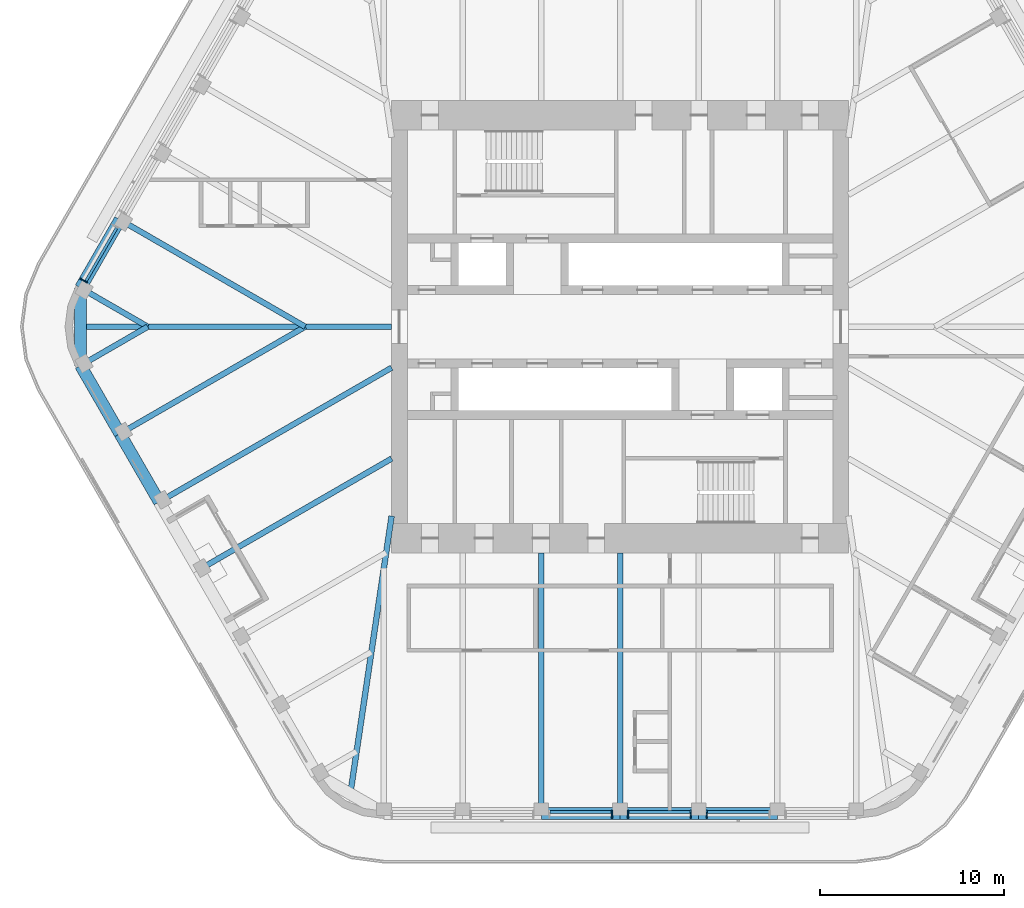
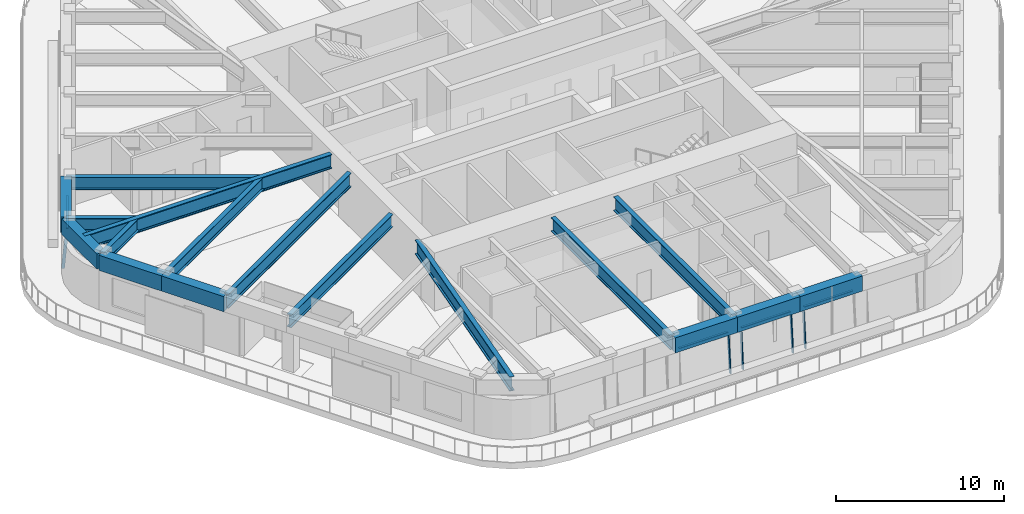
# One storey, part 3 of 20: 17 beams, 9 members, 4 elements without a shape of their own.
"""IFC4 building model written with IfcOpenShell, lengths in metres."""

from ifc_helpers import new_model, si_unit, direction, frame, origin, origin_2d, place, context, subcontext, project, spatial, rectangle, i_section, extrude, material, material_profile, profile_set, type_object, element, aggregate, save


model = new_model("IFC4")

# Units and contexts
model_context = context("Model", 3, precision=1e-05, world=origin(), true_north=direction((0.0, 1.0)))
body_context = subcontext(model_context, "Body", "Model", "MODEL_VIEW")
ifc_project = project(units=[si_unit("LENGTHUNIT", "METRE"), si_unit("AREAUNIT", "SQUARE_METRE"), si_unit("VOLUMEUNIT", "CUBIC_METRE"), si_unit("PLANEANGLEUNIT", "RADIAN"), si_unit("MASSUNIT", "GRAM", prefix="KILO")], contexts=[model_context])

# Site, building, storey
site_placement = place(None, origin())
site = spatial("IfcSite", under=ifc_project, at=site_placement, CompositionType="ELEMENT")
building_placement = place(site_placement, origin())
building = spatial("IfcBuilding", under=site, at=building_placement, Name="Tarfa Lantern Tower", CompositionType="ELEMENT")
storey_placement = place(building_placement, frame((0.0, 0.0, 378.699951171875)))
storey = spatial("IfcBuildingStorey", under=building, at=storey_placement, Name="L86", CompositionType="ELEMENT", Elevation=378.699951171875)

# Curtain wall, member
ifc_material_1 = material(Name="Aluminium framed curtain wall", Category="aluminium")
curtain_wall_type = type_object("IfcCurtainWallType", Name="CW4 CANTED GLAZING EXECUTIVE ZONE 2900", PredefinedType="USERDEFINED", material=ifc_material_1)
curtain_wall_1_placement = place(storey_placement, origin())
curtain_wall_1 = element("IfcCurtainWall", 1, at=curtain_wall_1_placement, inside=storey, type_object=curtain_wall_type, Name="CW4 NW L86", ObjectType="CURTAIN WALL", PredefinedType="USERDEFINED")
ifc_material_2 = material(Name="Aluminium mullion", Category="aluminium")
ifc_material_profile_1 = material_profile(ifc_material_2, rectangle(XDim=0.06494140625, YDim=0.199951171875, at=origin_2d()), Name="AL MULLION 65x200")
ifc_profile_set_1 = profile_set([ifc_material_profile_1], Name="Aluminium mullion")
member_type_1 = type_object("IfcMemberType", Name="CWM1 MULLION 65x200", PredefinedType="MULLION", material=ifc_profile_set_1)
member_1_placement = place(storey_placement, frame((-29.286376953125, 2.574462890625, 0.0), z_axis=(0.074393603155, -0.042941967097, 0.996303959277), x_axis=(0.499919672301, 0.866071776036, 0.0)))
member_1 = element("IfcMember", 2, at=member_1_placement, type_object=member_type_1, Name="CW4 mullion 2", PredefinedType="MULLION", context=body_context, shape_type="SweptSolid", body=[
    extrude(rectangle(XDim=0.06494140625, YDim=0.199951171875, at=origin_2d()), origin(), (0.0, 0.0, 1.0), 2.910888671875),
])

curtain_wall_2_placement = place(storey_placement, origin())
curtain_wall_2 = element("IfcCurtainWall", 3, at=curtain_wall_2_placement, inside=storey, type_object=curtain_wall_type, Name="CW4 S L86", ObjectType="CURTAIN WALL", PredefinedType="USERDEFINED")
member_2_placement = place(storey_placement, frame((-0.4326171875, -26.64990234375, 0.0), z_axis=(0.0, 0.085884035992, 0.996305140186), x_axis=(-1.0, 0.0, 0.0)))
member_2 = element("IfcMember", 4, at=member_2_placement, type_object=member_type_1, Name="CW4 mullion 2", PredefinedType="MULLION", context=body_context, shape_type="SweptSolid", body=[
    extrude(rectangle(XDim=0.06494140625, YDim=0.199951171875, at=origin_2d()), origin(), (0.0, 0.0, 1.0), 2.910888671875),
])

# Curtain wall, members
curtain_wall_3_placement = place(storey_placement, origin())
curtain_wall_3 = element("IfcCurtainWall", 5, at=curtain_wall_3_placement, inside=storey, type_object=curtain_wall_type, Name="CW4 S L86", ObjectType="CURTAIN WALL", PredefinedType="USERDEFINED")
member_3_placement = place(storey_placement, frame((0.4326171875, -26.64990234375, 0.0), z_axis=(0.0, 0.085884035992, 0.996305140186), x_axis=(-1.0, 0.0, 0.0)))
member_3 = element("IfcMember", 6, at=member_3_placement, type_object=member_type_1, Name="CW4 mullion 1", PredefinedType="MULLION", context=body_context, shape_type="SweptSolid", body=[
    extrude(rectangle(XDim=0.06494140625, YDim=0.199951171875, at=origin_2d()), origin(), (0.0, 0.0, 1.0), 2.910888671875),
])
member_4_placement = place(storey_placement, frame((3.849609375, -26.64990234375, 0.0), z_axis=(0.0, 0.085884035992, 0.996305140186), x_axis=(-1.0, 0.0, 0.0)))
member_4 = element("IfcMember", 7, at=member_4_placement, type_object=member_type_1, Name="CW4 mullion 2", PredefinedType="MULLION", context=body_context, shape_type="SweptSolid", body=[
    extrude(rectangle(XDim=0.06494140625, YDim=0.199951171875, at=origin_2d()), origin(), (0.0, 0.0, 1.0), 2.910888671875),
])

# Curtain wall, member
curtain_wall_4_placement = place(storey_placement, origin())
curtain_wall_4 = element("IfcCurtainWall", 8, at=curtain_wall_4_placement, inside=storey, type_object=curtain_wall_type, Name="CW4 S L86", ObjectType="CURTAIN WALL", PredefinedType="USERDEFINED")
member_5_placement = place(storey_placement, frame((4.714599609375, -26.64990234375, 0.0), z_axis=(0.0, 0.085884035992, 0.996305140186), x_axis=(-1.0, 0.0, 0.0)))
member_5 = element("IfcMember", 9, at=member_5_placement, type_object=member_type_1, Name="CW4 mullion 1", PredefinedType="MULLION", context=body_context, shape_type="SweptSolid", body=[
    extrude(rectangle(XDim=0.06494140625, YDim=0.199951171875, at=origin_2d()), origin(), (0.0, 0.0, 1.0), 2.910888671875),
])

# Member
ifc_material_3 = material(Name="Aluminium transom", Category="aluminium")
ifc_material_profile_2 = material_profile(ifc_material_3, rectangle(XDim=0.14990234375, YDim=0.06494140625, at=origin_2d()), Name="AL TRANSOM 150x65")
ifc_profile_set_2 = profile_set([ifc_material_profile_2], Name="Aluminium transom")
member_type_2 = type_object("IfcMemberType", Name="CWT1 TRANSOM 150x65", PredefinedType="USERDEFINED", material=ifc_profile_set_2)
member_6_placement = place(storey_placement, frame((-27.380126953125, 5.382080078125, 2.867431640625), z_axis=(-0.499930512259, -0.866065518833, 0.0), x_axis=(0.866065518833, -0.499930512259, 0.0)))
member_6 = element("IfcMember", 10, at=member_6_placement, type_object=member_type_2, Name="CW4 transom 1.2", ObjectType="TRANSOM", PredefinedType="USERDEFINED", context=body_context, shape_type="SweptSolid", body=[
    extrude(rectangle(XDim=0.14990234375, YDim=0.06494140625, at=origin_2d()), origin(), (0.0, 0.0, 1.0), 3.35205078125),
])

aggregate(curtain_wall_1, [member_1, member_6])

member_7_placement = place(storey_placement, frame((-3.81689453125, -26.40283203125, 2.867431640625), z_axis=(1.0, 0.0, 0.0), x_axis=(0.0, 1.0, 0.0)))
member_7 = element("IfcMember", 11, at=member_7_placement, type_object=member_type_2, Name="CW4 transom 1.2", ObjectType="TRANSOM", PredefinedType="USERDEFINED", context=body_context, shape_type="SweptSolid", body=[
    extrude(rectangle(XDim=0.14990234375, YDim=0.06494140625, at=origin_2d()), origin(), (0.0, 0.0, 1.0), 3.351806640625),
])

aggregate(curtain_wall_2, [member_2, member_7])

member_8_placement = place(storey_placement, frame((0.465087890625, -26.40283203125, 2.867431640625), z_axis=(1.0, 0.0, 0.0), x_axis=(0.0, 1.0, 0.0)))
member_8 = element("IfcMember", 12, at=member_8_placement, type_object=member_type_2, Name="CW4 transom 1.2", ObjectType="TRANSOM", PredefinedType="USERDEFINED", context=body_context, shape_type="SweptSolid", body=[
    extrude(rectangle(XDim=0.14990234375, YDim=0.06494140625, at=origin_2d()), origin(), (0.0, 0.0, 1.0), 3.351806640625),
])

aggregate(curtain_wall_3, [member_3, member_4, member_8])

member_9_placement = place(storey_placement, frame((4.7470703125, -26.40283203125, 2.867431640625), z_axis=(1.0, 0.0, 0.0), x_axis=(0.0, 1.0, 0.0)))
member_9 = element("IfcMember", 13, at=member_9_placement, type_object=member_type_2, Name="CW4 transom 1.2", ObjectType="TRANSOM", PredefinedType="USERDEFINED", context=body_context, shape_type="SweptSolid", body=[
    extrude(rectangle(XDim=0.14990234375, YDim=0.06494140625, at=origin_2d()), origin(), (0.0, 0.0, 1.0), 3.35205078125),
])

aggregate(curtain_wall_4, [member_5, member_9])

# Beams
ifc_material_4 = material(Name="Concrete C80/95", Category="concrete")
ifc_material_profile_3 = material_profile(ifc_material_4, rectangle(XDim=0.64990234375, YDim=1.10009765625, at=origin_2d()), Name="RC 650x1100")
ifc_profile_set_3 = profile_set([ifc_material_profile_3], Name="Concrete C80/95")
beam_type_1 = type_object("IfcBeamType", Name="EB4 RC 650x1100", PredefinedType="SPANDREL", material=ifc_profile_set_3)
beam_1_placement = place(storey_placement, frame((-27.205810546875, 5.818359375, 3.449951171875), z_axis=(-0.499984039138, -0.866034618596, 0.0), x_axis=(0.866034618596, -0.499984039138, 0.0)))
element("IfcBeam", 14, at=beam_1_placement, inside=storey, type_object=beam_type_1, Name="Edge beam NW5", PredefinedType="SPANDREL", context=body_context, shape_type="SweptSolid", body=[
    extrude(rectangle(XDim=0.64990234375, YDim=1.10009765625, at=origin_2d()), origin(), (0.0, 0.0, 1.0), 4.281982421875),
])
beam_2_placement = place(storey_placement, frame((-29.3466796875, 2.110107421875, 3.449951171875), z_axis=(0.0, -1.0, 0.0), x_axis=(1.0, 0.0, 0.0)))
element("IfcBeam", 15, at=beam_2_placement, inside=storey, type_object=beam_type_1, Name="Edge beam NW6", PredefinedType="SPANDREL", context=body_context, shape_type="SweptSolid", body=[
    extrude(rectangle(XDim=0.64990234375, YDim=1.10009765625, at=origin_2d()), origin(), (0.0, 0.0, 1.0), 4.22021484375),
])
for number, where, z_axis, x_axis, name in (
    (16, (-29.3466796875, -2.110107421875, 3.449951171875), (0.499984039138, -0.866034618596, 0.0), (0.866034618596, 0.499984039138, 0.0), "Edge beam SW0"),
    (17, (-27.205810546875, -5.818359375, 3.449951171875), (0.500026801138, -0.866009929587, 0.0), (0.866009929587, 0.500026801138, 0.0), "Edge beam SW1"),
    (18, (-4.281982421875, -26.469970703125, 3.449951171875), (1.0, 0.0, 0.0), (0.0, 1.0, 0.0), "Edge beam S2"),
    (19, (0.0, -26.469970703125, 3.449951171875), (1.0, 0.0, 0.0), (0.0, 1.0, 0.0), "Edge beam S3"),
    (20, (4.281982421875, -26.469970703125, 3.449951171875), (1.0, 0.0, 0.0), (0.0, 1.0, 0.0), "Edge beam S4"),
):
    element("IfcBeam", number, at=place(storey_placement, frame(where, z_axis=z_axis, x_axis=x_axis)), inside=storey, type_object=beam_type_1, Name=name, PredefinedType="SPANDREL", context=body_context, shape_type="SweptSolid", body=[
        extrude(rectangle(XDim=0.64990234375, YDim=1.10009765625, at=origin_2d()), origin(), (0.0, 0.0, 1.0), 4.281982421875),
    ])
ifc_material_5 = material(Name="Steel S460M", Category="steel")
ifc_material_profile_4 = material_profile(ifc_material_5, i_section(OverallWidth=0.302001953125, OverallDepth=1.008056640625, WebThickness=0.02099609375, FlangeThickness=0.0400390625, FilletRadius=0.030029296875, at=origin_2d()), Name="UB1016x305x349")
ifc_profile_set_4 = profile_set([ifc_material_profile_4], Name="Steel S460M")
beam_type_2 = type_object("IfcBeamType", Name="UB1016x305x349", PredefinedType="BEAM", material=ifc_profile_set_4)
beam_3_placement = place(storey_placement, frame((-25.064697265625, -9.526611328125, 3.49609375), z_axis=(0.866029591389, 0.499992746786, 0.0), x_axis=(-0.499992746786, 0.866029591389, 0.0)))
element("IfcBeam", 21, at=beam_3_placement, inside=storey, type_object=beam_type_2, Name="Floor beam SW2", PredefinedType="BEAM", context=body_context, shape_type="SweptSolid", body=[
    extrude(i_section(OverallWidth=0.302001953125, OverallDepth=1.008056640625, WebThickness=0.02099609375, FlangeThickness=0.0400390625, FilletRadius=0.030029296875, at=origin_2d()), origin(), (0.0, 0.0, 1.0), 14.594970703125),
])
for number, where, z_axis, x_axis, name in (
    (22, (-4.281982421875, -26.469970703125, 3.49609375), (0.0, 1.0, 0.0), (-1.0, 0.0, 0.0), "Floor beam S2"),
    (23, (0.0, -26.469970703125, 3.49609375), (0.0, 1.0, 0.0), (-1.0, 0.0, 0.0), "Floor beam S3"),
):
    element("IfcBeam", number, at=place(storey_placement, frame(where, z_axis=z_axis, x_axis=x_axis)), inside=storey, type_object=beam_type_2, Name=name, PredefinedType="BEAM", context=body_context, shape_type="SweptSolid", body=[
        extrude(i_section(OverallWidth=0.302001953125, OverallDepth=1.008056640625, WebThickness=0.02099609375, FlangeThickness=0.0400390625, FilletRadius=0.030029296875, at=origin_2d()), origin(), (0.0, 0.0, 1.0), 14.169921875),
    ])
ifc_material_profile_5 = material_profile(ifc_material_5, i_section(OverallWidth=0.30859375, OverallDepth=1.036376953125, WebThickness=0.030029296875, FlangeThickness=0.05419921875, FilletRadius=0.030029296875, at=origin_2d()), Name="UB1016x305x487")
ifc_profile_set_5 = profile_set([ifc_material_profile_5], Name="Steel S460M")
beam_type_3 = type_object("IfcBeamType", Name="UB1016x305x487", PredefinedType="BEAM", material=ifc_profile_set_5)
beam_4_placement = place(storey_placement, frame((-12.425048828125, 0.0, 3.48193359375), z_axis=(-1.0, 0.0, 0.0), x_axis=(0.0, -1.0, 0.0)))
element("IfcBeam", 24, at=beam_4_placement, inside=storey, type_object=beam_type_3, Name="Hip girder W", PredefinedType="BEAM", context=body_context, shape_type="SweptSolid", body=[
    extrude(i_section(OverallWidth=0.30859375, OverallDepth=1.036376953125, WebThickness=0.030029296875, FlangeThickness=0.05419921875, FilletRadius=0.030029296875, at=origin_2d()), origin(), (0.0, 0.0, 1.0), 16.921630859375),
])
beam_5_placement = place(storey_placement, frame((-12.425048828125, -10.300048828125, 3.48193359375), z_axis=(-0.147127069073, -0.989117599452, 0.0), x_axis=(0.989117599452, -0.147127069073, 0.0)))
element("IfcBeam", 25, at=beam_5_placement, inside=storey, type_object=beam_type_3, Name="Hip girder SW", PredefinedType="BEAM", context=body_context, shape_type="SweptSolid", body=[
    extrude(i_section(OverallWidth=0.30859375, OverallDepth=1.036376953125, WebThickness=0.030029296875, FlangeThickness=0.05419921875, FilletRadius=0.030029296875, at=origin_2d()), origin(), (0.0, 0.0, 1.0), 15.28125),
])
ifc_material_profile_6 = material_profile(ifc_material_5, i_section(OverallWidth=0.305419921875, OverallDepth=0.91845703125, WebThickness=0.017333984375, FlangeThickness=0.02783203125, FilletRadius=0.01904296875, at=origin_2d()), Name="UB914x305x253")
ifc_profile_set_6 = profile_set([ifc_material_profile_6], Name="Steel S460M")
beam_type_4 = type_object("IfcBeamType", Name="UB914x305x253", PredefinedType="BEAM", material=ifc_profile_set_6)
beam_6_placement = place(storey_placement, frame((-27.205810546875, 5.818359375, 3.540771484375), z_axis=(0.866024171998, -0.500002133511, 0.0), x_axis=(0.500002133511, 0.866024171998, 0.0)))
element("IfcBeam", 26, at=beam_6_placement, inside=storey, type_object=beam_type_4, Name="Floor beam NW5", PredefinedType="BEAM", context=body_context, shape_type="SweptSolid", body=[
    extrude(i_section(OverallWidth=0.305419921875, OverallDepth=0.91845703125, WebThickness=0.017333984375, FlangeThickness=0.02783203125, FilletRadius=0.01904296875, at=origin_2d()), origin(), (0.0, 0.0, 1.0), 11.63671875),
])
for number, where, z_axis, x_axis, name in (
    (27, (-29.3466796875, 2.110107421875, 3.540771484375), (0.866009274789, -0.500027935199, 0.0), (0.500027935199, 0.866009274789, 0.0), "Floor beam NW6"),
    (28, (-29.3466796875, -2.110107421875, 3.540771484375), (0.866009274789, 0.500027935199, 0.0), (-0.500027935199, 0.866009274789, 0.0), "Floor beam SW0"),
):
    element("IfcBeam", number, at=place(storey_placement, frame(where, z_axis=z_axis, x_axis=x_axis)), inside=storey, type_object=beam_type_4, Name=name, PredefinedType="BEAM", context=body_context, shape_type="SweptSolid", body=[
        extrude(i_section(OverallWidth=0.305419921875, OverallDepth=0.91845703125, WebThickness=0.017333984375, FlangeThickness=0.02783203125, FilletRadius=0.01904296875, at=origin_2d()), origin(), (0.0, 0.0, 1.0), 4.219970703125),
    ])
beam_7_placement = place(storey_placement, frame((-27.205810546875, -5.818359375, 3.540771484375), z_axis=(0.866024171998, 0.500002133511, 0.0), x_axis=(-0.500002133511, 0.866024171998, 0.0)))
element("IfcBeam", 29, at=beam_7_placement, inside=storey, type_object=beam_type_4, Name="Floor beam SW1", PredefinedType="BEAM", context=body_context, shape_type="SweptSolid", body=[
    extrude(i_section(OverallWidth=0.305419921875, OverallDepth=0.91845703125, WebThickness=0.017333984375, FlangeThickness=0.02783203125, FilletRadius=0.01904296875, at=origin_2d()), origin(), (0.0, 0.0, 1.0), 11.63671875),
])
beam_8_placement = place(storey_placement, frame((-22.923583984375, -13.235107421875, 3.540771484375), z_axis=(0.86601856927, 0.500011837539, 0.0), x_axis=(-0.500011837539, 0.86601856927, 0.0)))
element("IfcBeam", 30, at=beam_8_placement, inside=storey, type_object=beam_type_4, Name="Floor beam SW3", PredefinedType="BEAM", context=body_context, shape_type="SweptSolid", body=[
    extrude(i_section(OverallWidth=0.305419921875, OverallDepth=0.91845703125, WebThickness=0.017333984375, FlangeThickness=0.02783203125, FilletRadius=0.01904296875, at=origin_2d()), origin(), (0.0, 0.0, 1.0), 12.122802734375),
])

save(model, "model.ifc")
